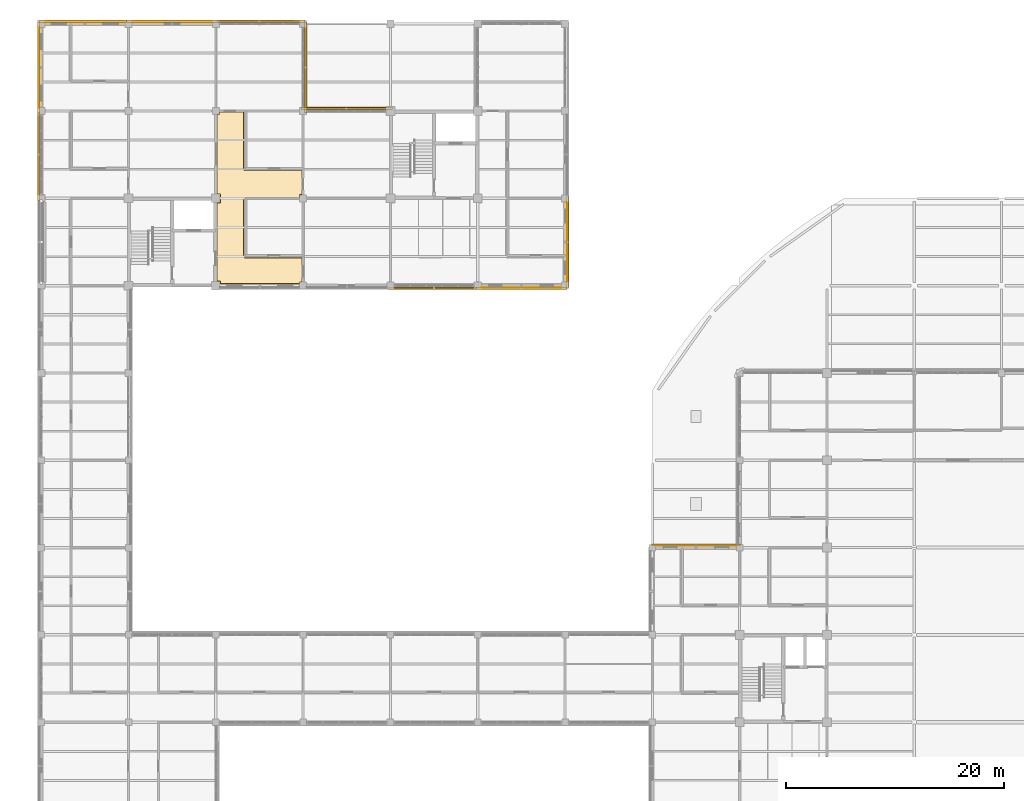
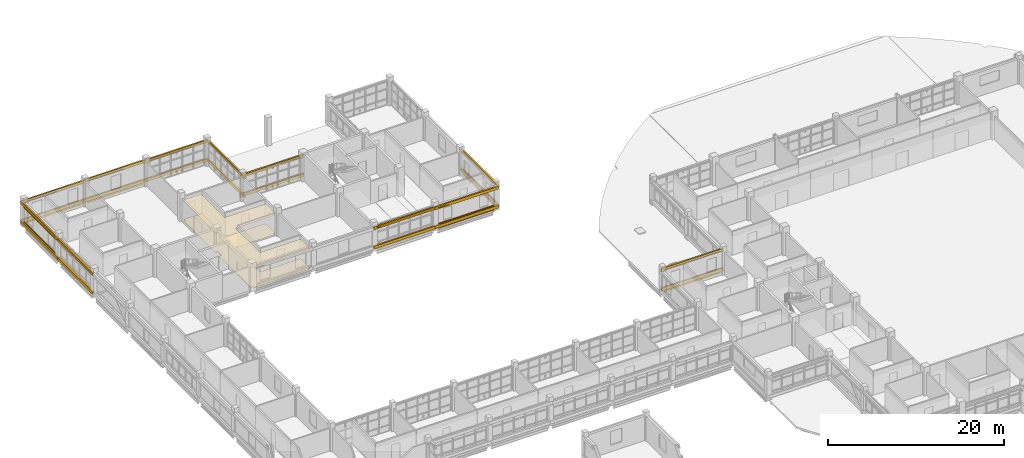
# One storey, part 118 of 126: 30 coverings, 12 shading devices.
"""IFC4 building model written with IfcOpenShell, lengths in metres."""

from ifc_helpers import new_model, si_unit, derived_unit, direction, frame, origin, origin_2d, place, context, subcontext, project, spatial, polyline, rectangle, circle, outline, extrude, material, layer, layer_set, material_profile, profile_set, type_object, element, save


model = new_model("IFC4")

# Units and contexts
model_context = context("Model", 3, precision=1e-05, world=origin(), true_north=direction((0.0, 1.0)))
body_context = subcontext(model_context, "Body", "Model", "MODEL_VIEW")
ifc_project = project(units=[si_unit("LENGTHUNIT", "METRE"), si_unit("AREAUNIT", "SQUARE_METRE"), si_unit("VOLUMEUNIT", "CUBIC_METRE"), si_unit("PLANEANGLEUNIT", "RADIAN"), si_unit("MASSUNIT", "GRAM", prefix="KILO"), derived_unit("THERMALTRANSMITTANCEUNIT", [(si_unit("MASSUNIT", "GRAM", prefix="KILO"), 1), (si_unit("TIMEUNIT", "SECOND"), -3), (si_unit("THERMODYNAMICTEMPERATUREUNIT", "KELVIN"), -1)])], contexts=[model_context])

# Site, building, storey
site_placement = place(None, origin())
site = spatial("IfcSite", under=ifc_project, at=site_placement, CompositionType="ELEMENT")
building_placement = place(site_placement, origin())
building = spatial("IfcBuilding", under=site, at=building_placement, Name="Veyamyaing Civic Hall", CompositionType="ELEMENT")
storey_placement = place(building_placement, frame((0.0, 0.0, 9.89990234375)))
storey = spatial("IfcBuildingStorey", under=building, at=storey_placement, Name="L02", CompositionType="ELEMENT", Elevation=9.89990234375)

# Coverings
ifc_material_1 = material(Name="Buff sandstone ashlar cladding", Category="masonry")
ifc_layer_1 = layer(ifc_material_1, 0.050048828125, Name="Buff sandstone ashlar cladding")
ifc_layer_set_1 = layer_set([ifc_layer_1], Name="Buff sandstone ashlar cladding")
covering_type_1 = type_object("IfcCoveringType", Name="CL-01", PredefinedType="CLADDING", material=ifc_layer_set_1)
for number, where, z_axis, x_axis, name in (
    (1, (4.0, 112.160888671875, 0.045166015625), (0.0, 0.0, 1.0), (1.0, 0.0, 0.0), "Facade spandrel cladding CL-01 L02 N 1.14"),
    (2, (-0.160888671875, 108.0, 0.045166015625), (0.0, 0.0, 1.0), (0.0, 1.0, 0.0), "Facade spandrel cladding CL-01 L02 W 1.14"),
):
    element("IfcCovering", number, at=place(storey_placement, frame(where, z_axis=z_axis, x_axis=x_axis)), inside=storey, type_object=covering_type_1, Name=name, PredefinedType="CLADDING", context=body_context, shape_type="SweptSolid", body=[
        extrude(rectangle(XDim=7.300048828125, YDim=0.050048828125, at=origin_2d()), origin(), (0.0, 0.0, 1.0), 0.75),
    ])
ifc_material_2 = material(Name="Turquoise glazed ceramic tile cladding", Category="masonry")
ifc_layer_2 = layer(ifc_material_2, 0.034912109375, Name="Turquoise glazed ceramic tile cladding")
ifc_layer_set_2 = layer_set([ifc_layer_2], Name="Turquoise glazed ceramic tile cladding")
covering_type_2 = type_object("IfcCoveringType", Name="CL-02", PredefinedType="CLADDING", material=ifc_layer_set_2)
for number, where, z_axis, x_axis, name in (
    (3, (12.0, 112.153564453125, 0.045166015625), (0.0, 0.0, 1.0), (1.0, 0.0, 0.0), "Facade spandrel cladding CL-02 L02 N 2.14"),
    (4, (44.0, 87.846435546875, 0.045166015625), (0.0, 0.0, 1.0), (1.0, 0.0, 0.0), "Facade spandrel cladding CL-02 L02 S 6.12"),
    (5, (48.153564453125, 92.0, 0.045166015625), (0.0, 0.0, 1.0), (0.0, 1.0, 0.0), "Facade spandrel cladding CL-02 L02 E 6.12"),
):
    element("IfcCovering", number, at=place(storey_placement, frame(where, z_axis=z_axis, x_axis=x_axis)), inside=storey, type_object=covering_type_2, Name=name, PredefinedType="CLADDING", context=body_context, shape_type="SweptSolid", body=[
        extrude(rectangle(XDim=7.300048828125, YDim=0.034912109375, at=origin_2d()), origin(), (0.0, 0.0, 1.0), 0.75),
    ])
covering_1_placement = place(storey_placement, frame((60.0, 64.166015625, 0.045166015625), z_axis=(0.0, 0.0, 1.0), x_axis=(1.0, 0.0, 0.0)))
element("IfcCovering", 6, at=covering_1_placement, inside=storey, type_object=covering_type_2, Name="Facade spandrel cladding CL-02 L02 N 8.8", PredefinedType="CLADDING", context=body_context, shape_type="SweptSolid", body=[
    extrude(rectangle(XDim=7.35009765625, YDim=0.034912109375, at=origin_2d()), origin(), (0.0, 0.0, 1.0), 0.75),
])
ifc_material_3 = material(Name="White powder-coated aluminium 6063-T6", Category="aluminium")
ifc_layer_3 = layer(ifc_material_3, 0.2099609375, Name="White powder-coated aluminium 6063-T6")
ifc_layer_set_3 = layer_set([ifc_layer_3], Name="White powder-coated aluminium 6063-T6")
covering_type_3 = type_object("IfcCoveringType", Name="CL-03", PredefinedType="CLADDING", material=ifc_layer_set_3)
for number, where, z_axis, x_axis, name in (
    (7, (-0.239990234375, 100.0, 2.904052734375), (0.0, 0.0, 1.0), (0.0, 1.0, 0.0), "Continuous white head fascia ribbon CL-03 L02 W 1.13"),
    (8, (-0.239990234375, 100.0, 0.280029296875), (0.0, 0.0, 1.0), (0.0, 1.0, 0.0), "Continuous white sill fascia ribbon CL-03 L02 W 1.13"),
    (9, (4.0, 112.239990234375, 2.900146484375), (0.0, 0.0, 1.0), (1.0, 0.0, 0.0), "Continuous white head fascia ribbon CL-03 L02 N 1.14"),
    (10, (4.0, 112.239990234375, 0.280029296875), (0.0, 0.0, 1.0), (1.0, 0.0, 0.0), "Continuous white sill fascia ribbon CL-03 L02 N 1.14"),
    (11, (-0.239990234375, 108.0, 2.967041015625), (0.0, 0.0, 1.0), (0.0, 1.0, 0.0), "Continuous white head fascia ribbon CL-03 L02 W 1.14"),
    (12, (-0.239990234375, 108.0, 0.280029296875), (0.0, 0.0, 1.0), (0.0, 1.0, 0.0), "Continuous white sill fascia ribbon CL-03 L02 W 1.14"),
    (13, (12.0, 112.239990234375, 2.964111328125), (0.0, 0.0, 1.0), (1.0, 0.0, 0.0), "Continuous white head fascia ribbon CL-03 L02 N 2.14"),
    (14, (12.0, 112.239990234375, 0.280029296875), (0.0, 0.0, 1.0), (1.0, 0.0, 0.0), "Continuous white sill fascia ribbon CL-03 L02 N 2.14"),
    (15, (20.0, 112.239990234375, 2.904052734375), (0.0, 0.0, 1.0), (1.0, 0.0, 0.0), "Continuous white head fascia ribbon CL-03 L02 N 3.14"),
    (16, (20.0, 112.239990234375, 0.280029296875), (0.0, 0.0, 1.0), (1.0, 0.0, 0.0), "Continuous white sill fascia ribbon CL-03 L02 N 3.14"),
    (17, (24.239990234375, 108.0, 2.904052734375), (0.0, 0.0, 1.0), (0.0, 1.0, 0.0), "Continuous white head fascia ribbon CL-03 L02 E 3.14"),
    (18, (24.239990234375, 108.0, 0.280029296875), (0.0, 0.0, 1.0), (0.0, 1.0, 0.0), "Continuous white sill fascia ribbon CL-03 L02 E 3.14"),
    (19, (28.0, 104.239990234375, 2.904052734375), (0.0, 0.0, 1.0), (1.0, 0.0, 0.0), "Continuous white head fascia ribbon CL-03 L02 N 4.13"),
    (20, (28.0, 104.239990234375, 0.280029296875), (0.0, 0.0, 1.0), (1.0, 0.0, 0.0), "Continuous white sill fascia ribbon CL-03 L02 N 4.13"),
    (21, (36.0, 87.760009765625, 2.964111328125), (0.0, 0.0, 1.0), (1.0, 0.0, 0.0), "Continuous white head fascia ribbon CL-03 L02 S 5.12"),
    (22, (36.0, 87.760009765625, 0.280029296875), (0.0, 0.0, 1.0), (1.0, 0.0, 0.0), "Continuous white sill fascia ribbon CL-03 L02 S 5.12"),
    (23, (44.0, 87.760009765625, 2.904052734375), (0.0, 0.0, 1.0), (1.0, 0.0, 0.0), "Continuous white head fascia ribbon CL-03 L02 S 6.12"),
    (24, (44.0, 87.760009765625, 0.280029296875), (0.0, 0.0, 1.0), (1.0, 0.0, 0.0), "Continuous white sill fascia ribbon CL-03 L02 S 6.12"),
    (25, (48.239990234375, 92.0, 2.967041015625), (0.0, 0.0, 1.0), (0.0, 1.0, 0.0), "Continuous white head fascia ribbon CL-03 L02 E 6.12"),
    (26, (48.239990234375, 92.0, 0.280029296875), (0.0, 0.0, 1.0), (0.0, 1.0, 0.0), "Continuous white sill fascia ribbon CL-03 L02 E 6.12"),
):
    element("IfcCovering", number, at=place(storey_placement, frame(where, z_axis=z_axis, x_axis=x_axis)), inside=storey, type_object=covering_type_3, Name=name, PredefinedType="CLADDING", context=body_context, shape_type="SweptSolid", body=[
        extrude(rectangle(XDim=8.360107421875, YDim=0.2099609375, at=origin_2d()), origin(), (0.0, 0.0, 1.0), 0.39990234375),
    ])
for number, where, z_axis, x_axis, name in (
    (27, (60.0, 64.239990234375, 2.964111328125), (0.0, 0.0, 1.0), (1.0, 0.0, 0.0), "Continuous white head fascia ribbon CL-03 L02 N 8.8"),
    (28, (60.0, 64.239990234375, 0.280029296875), (0.0, 0.0, 1.0), (1.0, 0.0, 0.0), "Continuous white sill fascia ribbon CL-03 L02 N 8.8"),
):
    element("IfcCovering", number, at=place(storey_placement, frame(where, z_axis=z_axis, x_axis=x_axis)), inside=storey, type_object=covering_type_3, Name=name, PredefinedType="CLADDING", context=body_context, shape_type="SweptSolid", body=[
        extrude(rectangle(XDim=8.1201171875, YDim=0.2099609375, at=origin_2d()), origin(), (0.0, 0.0, 1.0), 0.39990234375),
    ])
ifc_material_4 = material(Name="Perforated acoustic gypsum ceiling board")
ifc_layer_4 = layer(ifc_material_4, 0.02490234375, Name="Perforated acoustic gypsum ceiling board")
ifc_layer_set_4 = layer_set([ifc_layer_4], Name="Perforated acoustic gypsum ceiling board")
covering_type_4 = type_object("IfcCoveringType", Name="CLG-01", PredefinedType="CEILING", material=ifc_layer_set_4)
covering_2_placement = place(storey_placement, frame((0.0, 0.0, 2.7001953125)))
element("IfcCovering", 29, at=covering_2_placement, inside=storey, type_object=covering_type_4, Name="Acoustic suspended ceiling CLG-01 L02-C02", PredefinedType="CEILING", context=body_context, shape_type="SweptSolid", body=[
    extrude(outline(polyline([(18.580810546875, 98.6220703125), (18.597412109375, 98.597412109375), (18.62158203125, 98.581298828125), (18.652587890625, 98.574951171875), (23.925048828125, 98.574951171875), (23.925048828125, 96.31005859375), (23.68994140625, 96.31005859375), (23.68994140625, 96.074951171875), (18.652587890625, 96.074951171875), (18.62158203125, 96.06884765625), (18.597412109375, 96.052734375), (18.581298828125, 96.028564453125), (18.574951171875, 95.99755859375), (18.574951171875, 90.65185546875), (18.57861328125, 90.62841796875), (18.588134765625, 90.60791015625), (18.5966796875, 90.597412109375), (18.615234375, 90.583740234375), (18.627685546875, 90.57861328125), (18.65185546875, 90.574951171875), (23.925048828125, 90.574951171875), (23.925048828125, 88.31005859375), (23.68994140625, 88.31005859375), (23.68994140625, 88.155029296875), (16.385009765625, 88.155029296875), (16.385009765625, 88.385009765625), (16.074951171875, 88.385009765625), (16.074951171875, 95.614990234375), (16.385009765625, 95.614990234375), (16.385009765625, 96.385009765625), (16.074951171875, 96.385009765625), (16.074951171875, 103.68994140625), (16.31005859375, 103.68994140625), (16.31005859375, 103.925048828125), (18.574951171875, 103.925048828125), (18.575439453125, 98.643310546875), (18.580810546875, 98.6220703125)])), origin(), (0.0, 0.0, 1.0), 0.02490234375),
])
ifc_material_5 = material(Name="Polished Mandalay marble and terrazzo flooring", Category="masonry")
ifc_layer_5 = layer(ifc_material_5, 0.030029296875, Name="Polished Mandalay marble and terrazzo flooring")
ifc_layer_set_5 = layer_set([ifc_layer_5], Name="Polished Mandalay marble and terrazzo flooring")
covering_type_5 = type_object("IfcCoveringType", Name="FLR-01", PredefinedType="FLOORING", material=ifc_layer_set_5)
covering_3_placement = place(storey_placement, origin())
element("IfcCovering", 30, at=covering_3_placement, inside=storey, type_object=covering_type_5, Name="Stone and terrazzo flooring FLR-01 L02-C02", PredefinedType="FLOORING", context=body_context, shape_type="SweptSolid", body=[
    extrude(outline(polyline([(18.5576171875, 98.61181640625), (18.579345703125, 98.579345703125), (18.61181640625, 98.5576171875), (18.64990234375, 98.550048828125), (23.89990234375, 98.550048828125), (23.89990234375, 96.3349609375), (23.6650390625, 96.3349609375), (23.6650390625, 96.10009765625), (18.64990234375, 96.10009765625), (18.61181640625, 96.09228515625), (18.579345703125, 96.07080078125), (18.5576171875, 96.038330078125), (18.550048828125, 96.0), (18.550048828125, 90.64990234375), (18.55419921875, 90.62109375), (18.56689453125, 90.594482421875), (18.579345703125, 90.579345703125), (18.602783203125, 90.561767578125), (18.62109375, 90.55419921875), (18.64990234375, 90.550048828125), (23.89990234375, 90.550048828125), (23.89990234375, 88.3349609375), (23.6650390625, 88.3349609375), (23.6650390625, 88.179931640625), (16.409912109375, 88.179931640625), (16.409912109375, 88.409912109375), (16.10009765625, 88.409912109375), (16.10009765625, 95.590087890625), (16.409912109375, 95.590087890625), (16.409912109375, 96.409912109375), (16.10009765625, 96.409912109375), (16.10009765625, 103.6650390625), (16.3349609375, 103.6650390625), (16.3349609375, 103.89990234375), (18.550048828125, 103.89990234375), (18.550537109375, 98.64013671875), (18.5576171875, 98.61181640625)])), origin(), (0.0, 0.0, 1.0), 0.030029296875),
])

# Shading devices
ifc_material_6 = material(Name="Anodised aluminium 6063-T6", Category="aluminium")
ifc_material_profile_1 = material_profile(ifc_material_6, rectangle(XDim=0.050048828125, YDim=0.25, at=origin_2d()), Name="LOUVRE-BLADE-50X250")
ifc_profile_set_1 = profile_set([ifc_material_profile_1], Name="Anodised aluminium 6063-T6")
shading_device_type_1 = type_object("IfcShadingDeviceType", Name="LV-01", PredefinedType="JALOUSIE", material=ifc_profile_set_1)
shading_device_1_placement = place(storey_placement, frame((-0.219970703125, 104.31005859375, 2.797119140625), z_axis=(0.0, 1.0, 0.0), x_axis=(-1.0, 0.0, 0.0)))
element("IfcShadingDevice", 31, at=shading_device_1_placement, inside=storey, type_object=shading_device_type_1, Name="Monsoon solar louvre LV-01 L02 W 1.14", PredefinedType="JALOUSIE", context=body_context, shape_type="SweptSolid", body=[
    extrude(rectangle(XDim=0.050048828125, YDim=0.25, at=origin_2d()), origin(), (0.0, 0.0, 1.0), 7.3798828125),
])
ifc_material_profile_2 = material_profile(ifc_material_3, circle(Radius=0.110107421875, at=origin_2d()), Name="SHADE-TUBE-220")
ifc_profile_set_2 = profile_set([ifc_material_profile_2], Name="White powder-coated aluminium 6063-T6")
shading_device_type_2 = type_object("IfcShadingDeviceType", Name="SH-01", PredefinedType="USERDEFINED", material=ifc_profile_set_2)
shading_device_2_placement = place(storey_placement, frame((56.284912109375, 64.239990234375, 3.1240234375), z_axis=(1.0, 0.0, 0.0), x_axis=(0.0, 1.0, 0.0)))
element("IfcShadingDevice", 32, at=shading_device_2_placement, inside=storey, type_object=shading_device_type_2, Name="Horizontal white sunshade ribbon SH-01 L02 N 8.8", ObjectType="SUNSHADE", PredefinedType="USERDEFINED", context=body_context, shape_type="SweptSolid", body=[
    extrude(circle(Radius=0.110107421875, at=origin_2d()), origin(), (0.0, 0.0, 1.0), 7.43017578125),
])
ifc_material_profile_3 = material_profile(ifc_material_3, circle(Radius=0.090087890625, at=origin_2d()), Name="SHADE-TUBE-180")
ifc_profile_set_3 = profile_set([ifc_material_profile_3], Name="White powder-coated aluminium 6063-T6")
shading_device_type_3 = type_object("IfcShadingDeviceType", Name="SH-02", PredefinedType="USERDEFINED", material=ifc_profile_set_3)
for number, where, z_axis, x_axis, name in (
    (33, (-0.239990234375, 96.31005859375, 3.064208984375), (0.0, 1.0, 0.0), (-1.0, 0.0, 0.0), "Horizontal white sunshade ribbon SH-02 L02 W 1.13"),
    (34, (0.31005859375, 112.239990234375, 3.06005859375), (1.0, 0.0, 0.0), (0.0, 1.0, 0.0), "Horizontal white sunshade ribbon SH-02 L02 N 1.14"),
    (35, (-0.239990234375, 104.31005859375, 3.127197265625), (0.0, 1.0, 0.0), (-1.0, 0.0, 0.0), "Horizontal white sunshade ribbon SH-02 L02 W 1.14"),
    (36, (8.31005859375, 112.239990234375, 3.1240234375), (1.0, 0.0, 0.0), (0.0, 1.0, 0.0), "Horizontal white sunshade ribbon SH-02 L02 N 2.14"),
    (37, (16.31005859375, 112.239990234375, 3.064208984375), (1.0, 0.0, 0.0), (0.0, 1.0, 0.0), "Horizontal white sunshade ribbon SH-02 L02 N 3.14"),
    (38, (24.239990234375, 104.31005859375, 3.064208984375), (0.0, 1.0, 0.0), (-1.0, 0.0, 0.0), "Horizontal white sunshade ribbon SH-02 L02 E 3.14"),
):
    element("IfcShadingDevice", number, at=place(storey_placement, frame(where, z_axis=z_axis, x_axis=x_axis)), inside=storey, type_object=shading_device_type_3, Name=name, ObjectType="SUNSHADE", PredefinedType="USERDEFINED", context=body_context, shape_type="SweptSolid", body=[
        extrude(circle(Radius=0.090087890625, at=origin_2d()), origin(), (0.0, 0.0, 1.0), 7.3798828125),
    ])
shading_device_3_placement = place(storey_placement, frame((24.31005859375, 104.239990234375, 3.064208984375), z_axis=(1.0, 0.0, 0.0), x_axis=(0.0, 1.0, 0.0)))
element("IfcShadingDevice", 39, at=shading_device_3_placement, inside=storey, type_object=shading_device_type_3, Name="Horizontal white sunshade ribbon SH-02 L02 N 4.13", ObjectType="SUNSHADE", PredefinedType="USERDEFINED", context=body_context, shape_type="SweptSolid", body=[
    extrude(circle(Radius=0.090087890625, at=origin_2d()), origin(), (0.0, 0.0, 1.0), 7.304931640625),
])
for number, where, z_axis, x_axis, name in (
    (40, (32.31005859375, 87.760009765625, 3.1240234375), (1.0, 0.0, 0.0), (0.0, 1.0, 0.0), "Horizontal white sunshade ribbon SH-02 L02 S 5.12"),
    (41, (40.31005859375, 87.760009765625, 3.064208984375), (1.0, 0.0, 0.0), (0.0, 1.0, 0.0), "Horizontal white sunshade ribbon SH-02 L02 S 6.12"),
    (42, (48.239990234375, 88.31005859375, 3.127197265625), (0.0, 1.0, 0.0), (-1.0, 0.0, 0.0), "Horizontal white sunshade ribbon SH-02 L02 E 6.12"),
):
    element("IfcShadingDevice", number, at=place(storey_placement, frame(where, z_axis=z_axis, x_axis=x_axis)), inside=storey, type_object=shading_device_type_3, Name=name, ObjectType="SUNSHADE", PredefinedType="USERDEFINED", context=body_context, shape_type="SweptSolid", body=[
        extrude(circle(Radius=0.090087890625, at=origin_2d()), origin(), (0.0, 0.0, 1.0), 7.3798828125),
    ])

save(model, "model.ifc")
